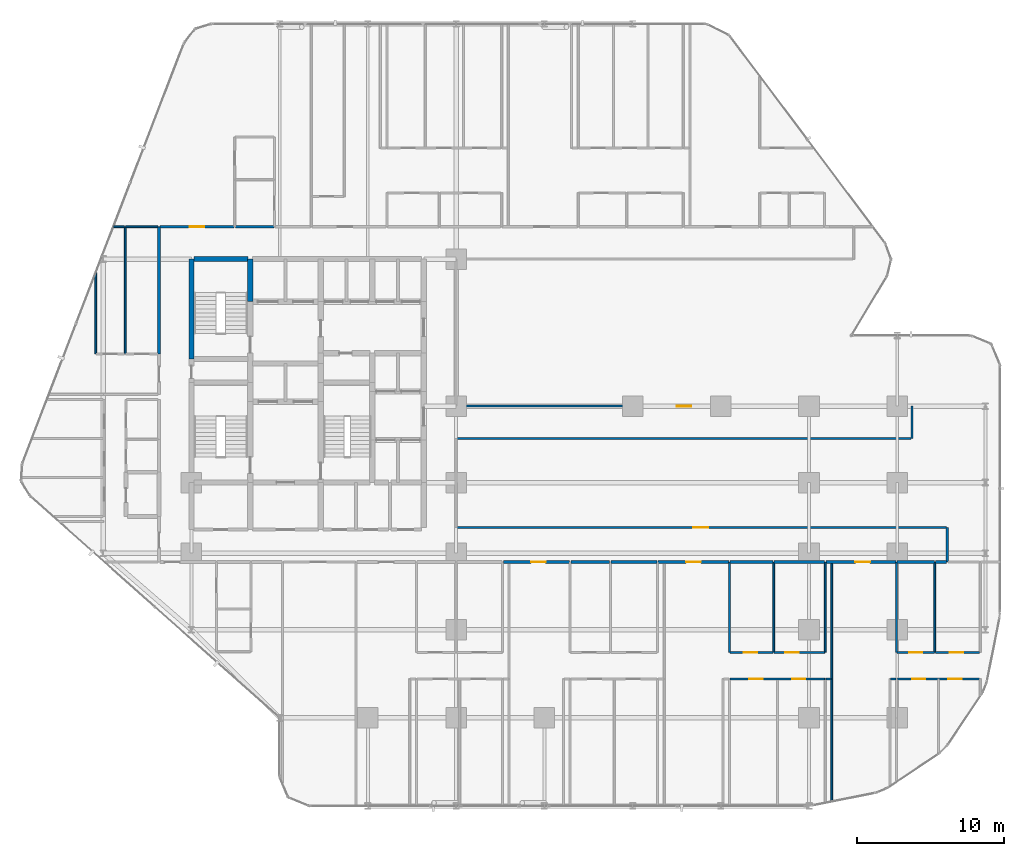
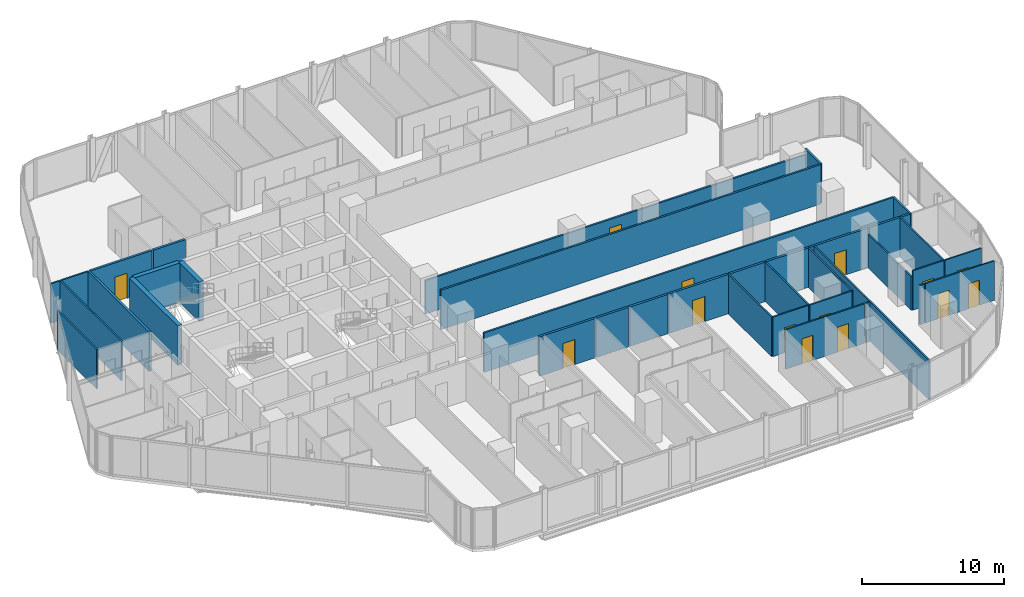
# One storey, part 29 of 34: 38 walls, 14 doors, 14 openings.
"""IFC4 building model written with IfcOpenShell, lengths in metres."""

from ifc_helpers import new_model, si_unit, direction, frame, frame_2d, origin, place, context, subcontext, project, spatial, rectangle, extrude, material, layer, layer_set, type_object, element, fill, save


model = new_model("IFC4")

# Units and contexts
model_context = context("Model", 3, precision=1e-05, world=origin(), true_north=direction((0.0, 1.0)))
body_context = subcontext(model_context, "Body", "Model", "MODEL_VIEW")
ifc_project = project(units=[si_unit("LENGTHUNIT", "METRE"), si_unit("AREAUNIT", "SQUARE_METRE"), si_unit("VOLUMEUNIT", "CUBIC_METRE"), si_unit("PLANEANGLEUNIT", "RADIAN"), si_unit("MASSUNIT", "GRAM", prefix="KILO")], contexts=[model_context])

# Site, building, storey
site_placement = place(None, origin())
site = spatial("IfcSite", under=ifc_project, at=site_placement, CompositionType="ELEMENT")
building_placement = place(site_placement, origin())
building = spatial("IfcBuilding", under=site, at=building_placement, Name="Keshet Zoharim Tower", CompositionType="ELEMENT")
storey_placement = place(building_placement, frame((0.0, 0.0, 38.800048828125)))
storey = spatial("IfcBuildingStorey", under=building, at=storey_placement, Name="L08", CompositionType="ELEMENT", Elevation=38.800048828125)

# Walls
ifc_material_1 = material(Name="Gypsum Plasterboard", Category="gypsum")
ifc_layer_1 = layer(ifc_material_1, 0.14990234375)
ifc_layer_set_1 = layer_set([ifc_layer_1], Name="Gypsum Plasterboard")
wall_type_1 = type_object("IfcWallType", Name="WL-CLIN-150", PredefinedType="STANDARD", material=ifc_layer_set_1)
wall_1_placement = place(storey_placement, frame((64.0, 25.699951171875, 0.0), z_axis=(0.0, 0.0, 1.0), x_axis=(0.0, 1.0, 0.0)))
element("IfcWall", 1, at=wall_1_placement, inside=storey, type_object=wall_type_1, Name="L08 Interior Wall 113", PredefinedType="STANDARD", context=body_context, shape_type="SweptSolid", body=[
    extrude(rectangle(XDim=2.199951171875, YDim=0.14990234375, at=frame_2d((1.10009765625, 0.0))), origin(), (0.0, 0.0, 1.0), 3.385009765625),
])
wall_2_placement = place(storey_placement, frame((66.39990234375, 17.31005859375, 0.0), z_axis=(0.0, 0.0, 1.0), x_axis=(0.0, 1.0, 0.0)))
element("IfcWall", 2, at=wall_2_placement, inside=storey, type_object=wall_type_1, Name="L08 Interior Wall 116", PredefinedType="STANDARD", context=body_context, shape_type="SweptSolid", body=[
    extrude(rectangle(XDim=2.33984375, YDim=0.14990234375, at=frame_2d((1.169921875, 0.0))), origin(), (0.0, 0.0, 1.0), 3.385009765625),
])

# Wall, opening, door
wall_3_placement = place(storey_placement, frame((33.070068359375, 19.64990234375, 0.0), z_axis=(0.0, 0.0, 1.0), x_axis=(1.0, 0.0, 0.0)))
wall_3 = element("IfcWall", 3, at=wall_3_placement, inside=storey, type_object=wall_type_1, Name="L08 Interior Wall 163", PredefinedType="STANDARD", context=body_context, shape_type="SweptSolid", body=[
    extrude(rectangle(XDim=33.27001953125, YDim=0.14990234375, at=frame_2d((16.635009765625, 0.0))), origin(), (0.0, 0.0, 1.0), 3.385009765625),
])
opening_1_placement = place(wall_3_placement, frame((16.06494140625, 0.0, 0.0)))
opening_1 = element("IfcOpeningElement", 4, at=opening_1_placement, cuts=wall_3, Name="Opening D-F310", PredefinedType="OPENING", context=body_context, shape_type="SweptSolid", body=[
    extrude(rectangle(XDim=1.0, YDim=2.14990234375, at=frame_2d((0.5, 1.074951171875))), frame((0.0, 0.0849609375, 0.0), z_axis=(0.0, -1.0, 0.0), x_axis=(1.0, 0.0, 0.0)), (0.0, 0.0, 1.0), 0.169921875),
])
ifc_material_2 = material(Name="Hardwood Timber", Category="wood")
door_type_1 = type_object("IfcDoorType", Name="DR-FD30-100", OperationType="NOTDEFINED", PredefinedType="DOOR", material=ifc_material_2)
door_1_placement = place(opening_1_placement, origin())
door_1 = element("IfcDoor", 5, at=door_1_placement, inside=storey, type_object=door_type_1, Name="L08 North East Residents Services Suite Door 1", OperationType="SINGLE_SWING_RIGHT", OverallHeight=2.14990234375, OverallWidth=1.0, PredefinedType="DOOR", context=body_context, shape_type="SweptSolid", body=[
    extrude(rectangle(XDim=1.0, YDim=2.14990234375, at=frame_2d((0.5, 1.074951171875))), frame((0.0, 0.02490234375, 0.0), z_axis=(0.0, -1.0, 0.0), x_axis=(1.0, 0.0, 0.0)), (0.0, 0.0, 1.0), 0.050048828125),
])
fill(opening_1, door_1)

# Wall
wall_4_placement = place(storey_placement, frame((33.070068359375, 25.699951171875, 0.0), z_axis=(0.0, 0.0, 1.0), x_axis=(1.0, 0.0, 0.0)))
element("IfcWall", 6, at=wall_4_placement, inside=storey, type_object=wall_type_1, Name="L08 Interior Wall 177", PredefinedType="STANDARD", context=body_context, shape_type="SweptSolid", body=[
    extrude(rectangle(XDim=30.869873046875, YDim=0.14990234375, at=frame_2d((15.43505859375, 0.0))), origin(), (0.0, 0.0, 1.0), 3.385009765625),
])

# Wall, opening, door
wall_5_placement = place(storey_placement, frame((33.070068359375, 27.89990234375, 0.0), z_axis=(0.0, 0.0, 1.0), x_axis=(1.0, 0.0, 0.0)))
wall_5 = element("IfcWall", 7, at=wall_5_placement, inside=storey, type_object=wall_type_1, Name="L08 Interior Wall 178", PredefinedType="STANDARD", context=body_context, shape_type="SweptSolid", body=[
    extrude(rectangle(XDim=30.869873046875, YDim=0.14990234375, at=frame_2d((15.43505859375, 0.0))), origin(), (0.0, 0.0, 1.0), 2.885009765625),
])
opening_2_placement = place(wall_5_placement, frame((14.93505859375, 0.0, 0.0)))
opening_2 = element("IfcOpeningElement", 8, at=opening_2_placement, cuts=wall_5, Name="Opening D-F310", PredefinedType="OPENING", context=body_context, shape_type="SweptSolid", body=[
    extrude(rectangle(XDim=1.0, YDim=2.14990234375, at=frame_2d((0.5, 1.074951171875))), frame((0.0, 0.0849609375, 0.0), z_axis=(0.0, -1.0, 0.0), x_axis=(1.0, 0.0, 0.0)), (0.0, 0.0, 1.0), 0.169921875),
])
door_2_placement = place(opening_2_placement, origin())
door_2 = element("IfcDoor", 9, at=door_2_placement, inside=storey, type_object=door_type_1, Name="L08 North East Residents Services Suite Door 2", OperationType="SINGLE_SWING_RIGHT", OverallHeight=2.14990234375, OverallWidth=1.0, PredefinedType="DOOR", context=body_context, shape_type="SweptSolid", body=[
    extrude(rectangle(XDim=1.0, YDim=2.14990234375, at=frame_2d((0.5, 1.074951171875))), frame((0.0, 0.02490234375, 0.0), z_axis=(0.0, -1.0, 0.0), x_axis=(1.0, 0.0, 0.0)), (0.0, 0.0, 1.0), 0.050048828125),
])
fill(opening_2, door_2)

# Walls
ifc_material_3 = material(Name="Concrete C60/75", Category="concrete")
ifc_layer_2 = layer(ifc_material_3, 0.35009765625)
ifc_layer_set_2 = layer_set([ifc_layer_2], Name="Concrete C60/75")
wall_type_2 = type_object("IfcWallType", Name="WL-CORE-350", PredefinedType="SHEAR", material=ifc_layer_set_2)
wall_6_placement = place(storey_placement, frame((15.0, 31.10009765625, 0.0), z_axis=(0.0, 0.0, 1.0), x_axis=(0.0, 1.0, 0.0)))
element("IfcWall", 10, at=wall_6_placement, inside=storey, type_object=wall_type_2, Name="L08 Core Shear Wall 016", PredefinedType="SHEAR", context=body_context, shape_type="SweptSolid", body=[
    extrude(rectangle(XDim=6.7998046875, YDim=0.35009765625, at=frame_2d((3.39990234375, 0.0))), origin(), (0.0, 0.0, 1.0), 3.385009765625),
])
wall_7_placement = place(storey_placement, frame((19.0, 35.0, 0.0), z_axis=(0.0, 0.0, 1.0), x_axis=(0.0, 1.0, 0.0)))
element("IfcWall", 11, at=wall_7_placement, inside=storey, type_object=wall_type_2, Name="L08 Core Shear Wall 025", PredefinedType="SHEAR", context=body_context, shape_type="SweptSolid", body=[
    extrude(rectangle(XDim=2.89990234375, YDim=0.35009765625, at=frame_2d((1.449951171875, 0.0))), origin(), (0.0, 0.0, 1.0), 3.385009765625),
])
wall_8_placement = place(storey_placement, frame((15.159912109375, 37.89990234375, 0.0), z_axis=(0.0, 0.0, 1.0), x_axis=(1.0, 0.0, 0.0)))
element("IfcWall", 12, at=wall_8_placement, inside=storey, type_object=wall_type_2, Name="L08 Core Shear Wall 194", PredefinedType="SHEAR", context=body_context, shape_type="SweptSolid", body=[
    extrude(rectangle(XDim=3.68017578125, YDim=0.35009765625, at=frame_2d((1.840087890625, 0.0))), origin(), (0.0, 0.0, 1.0), 3.385009765625),
])
ifc_layer_3 = layer(ifc_material_1, 0.179931640625)
ifc_layer_set_3 = layer_set([ifc_layer_3], Name="Gypsum Plasterboard")
wall_type_3 = type_object("IfcWallType", Name="WL-CORR-180", PredefinedType="STANDARD", material=ifc_layer_set_3)
wall_9_placement = place(storey_placement, frame((12.800048828125, 31.449951171875, 0.0), z_axis=(0.0, 0.0, 1.0), x_axis=(0.0, 1.0, 0.0)))
element("IfcWall", 13, at=wall_9_placement, inside=storey, type_object=wall_type_3, Name="L08 Interior Wall 012", PredefinedType="STANDARD", context=body_context, shape_type="SweptSolid", body=[
    extrude(rectangle(XDim=8.650146484375, YDim=0.179931640625, at=frame_2d((4.3251953125, 0.0))), origin(), (0.0, 0.0, 1.0), 3.385009765625),
])

# Wall, opening, door
wall_10_placement = place(storey_placement, frame((36.215087890625, 17.300048828125, 0.0), z_axis=(0.0, 0.0, 1.0), x_axis=(1.0, 0.0, 0.0)))
wall_10 = element("IfcWall", 14, at=wall_10_placement, inside=storey, type_object=wall_type_3, Name="L08 Interior Wall 148", PredefinedType="STANDARD", context=body_context, shape_type="SweptSolid", body=[
    extrude(rectangle(XDim=4.5, YDim=0.179931640625, at=frame_2d((2.25, 0.0))), origin(), (0.0, 0.0, 1.0), 3.385009765625),
])
opening_3_placement = place(wall_10_placement, frame((1.87890625, 0.0, 0.0)))
opening_3 = element("IfcOpeningElement", 15, at=opening_3_placement, cuts=wall_10, Name="Opening D-F310", PredefinedType="OPENING", context=body_context, shape_type="SweptSolid", body=[
    extrude(rectangle(XDim=1.0, YDim=2.14990234375, at=frame_2d((0.5, 1.074951171875))), frame((0.0, 0.10009765625, 0.0), z_axis=(0.0, -1.0, 0.0), x_axis=(1.0, 0.0, 0.0)), (0.0, 0.0, 1.0), 0.199951171875),
])
door_3_placement = place(opening_3_placement, origin())
door_3 = element("IfcDoor", 16, at=door_3_placement, inside=storey, type_object=door_type_1, Name="Apartment 0803 Entrance Door", OperationType="SINGLE_SWING_RIGHT", OverallHeight=2.14990234375, OverallWidth=1.0, PredefinedType="DOOR", context=body_context, shape_type="SweptSolid", body=[
    extrude(rectangle(XDim=1.0, YDim=2.14990234375, at=frame_2d((0.5, 1.074951171875))), frame((0.0, 0.02490234375, 0.0), z_axis=(0.0, -1.0, 0.0), x_axis=(1.0, 0.0, 0.0)), (0.0, 0.0, 1.0), 0.050048828125),
])
fill(opening_3, door_3)

# Walls
wall_11_placement = place(storey_placement, frame((40.804931640625, 17.300048828125, 0.0), z_axis=(0.0, 0.0, 1.0), x_axis=(1.0, 0.0, 0.0)))
element("IfcWall", 17, at=wall_11_placement, inside=storey, type_object=wall_type_3, Name="L08 Interior Wall 149", PredefinedType="STANDARD", context=body_context, shape_type="SweptSolid", body=[
    extrude(rectangle(XDim=2.64208984375, YDim=0.179931640625, at=frame_2d((1.321044921875, 0.0))), origin(), (0.0, 0.0, 1.0), 3.385009765625),
])
wall_12_placement = place(storey_placement, frame((43.537109375, 17.300048828125, 0.0), z_axis=(0.0, 0.0, 1.0), x_axis=(1.0, 0.0, 0.0)))
element("IfcWall", 18, at=wall_12_placement, inside=storey, type_object=wall_type_3, Name="L08 Interior Wall 150", PredefinedType="STANDARD", context=body_context, shape_type="SweptSolid", body=[
    extrude(rectangle(XDim=3.117919921875, YDim=0.179931640625, at=frame_2d((1.55908203125, 0.0))), origin(), (0.0, 0.0, 1.0), 3.385009765625),
])

# Wall, opening, door
wall_13_placement = place(storey_placement, frame((46.7451171875, 17.300048828125, 0.0), z_axis=(0.0, 0.0, 1.0), x_axis=(1.0, 0.0, 0.0)))
wall_13 = element("IfcWall", 19, at=wall_13_placement, inside=storey, type_object=wall_type_3, Name="L08 Interior Wall 151", PredefinedType="STANDARD", context=body_context, shape_type="SweptSolid", body=[
    extrude(rectangle(XDim=4.7998046875, YDim=0.179931640625, at=frame_2d((2.39990234375, 0.0))), origin(), (0.0, 0.0, 1.0), 3.385009765625),
])
opening_4_placement = place(wall_13_placement, frame((1.89990234375, 0.0, 0.0)))
opening_4 = element("IfcOpeningElement", 20, at=opening_4_placement, cuts=wall_13, Name="Opening D-F310", PredefinedType="OPENING", context=body_context, shape_type="SweptSolid", body=[
    extrude(rectangle(XDim=1.0, YDim=2.14990234375, at=frame_2d((0.5, 1.074951171875))), frame((0.0, 0.10009765625, 0.0), z_axis=(0.0, -1.0, 0.0), x_axis=(1.0, 0.0, 0.0)), (0.0, 0.0, 1.0), 0.199951171875),
])
door_4_placement = place(opening_4_placement, origin())
door_4 = element("IfcDoor", 21, at=door_4_placement, inside=storey, type_object=door_type_1, Name="Apartment 0804 Entrance Door", OperationType="SINGLE_SWING_LEFT", OverallHeight=2.14990234375, OverallWidth=1.0, PredefinedType="DOOR", context=body_context, shape_type="SweptSolid", body=[
    extrude(rectangle(XDim=1.0, YDim=2.14990234375, at=frame_2d((0.5, 1.074951171875))), frame((0.0, 0.02490234375, 0.0), z_axis=(0.0, -1.0, 0.0), x_axis=(1.0, 0.0, 0.0)), (0.0, 0.0, 1.0), 0.050048828125),
])
fill(opening_4, door_4)

# Walls
wall_14_placement = place(storey_placement, frame((51.635009765625, 17.300048828125, 0.0), z_axis=(0.0, 0.0, 1.0), x_axis=(1.0, 0.0, 0.0)))
element("IfcWall", 22, at=wall_14_placement, inside=storey, type_object=wall_type_3, Name="L08 Interior Wall 152", PredefinedType="STANDARD", context=body_context, shape_type="SweptSolid", body=[
    extrude(rectangle(XDim=2.905029296875, YDim=0.179931640625, at=frame_2d((1.45263671875, 0.0))), origin(), (0.0, 0.0, 1.0), 3.385009765625),
])
wall_15_placement = place(storey_placement, frame((54.6298828125, 17.300048828125, 0.0), z_axis=(0.0, 0.0, 1.0), x_axis=(1.0, 0.0, 0.0)))
element("IfcWall", 23, at=wall_15_placement, inside=storey, type_object=wall_type_3, Name="L08 Interior Wall 153", PredefinedType="STANDARD", context=body_context, shape_type="SweptSolid", body=[
    extrude(rectangle(XDim=3.425048828125, YDim=0.179931640625, at=frame_2d((1.71240234375, 0.0))), origin(), (0.0, 0.0, 1.0), 3.385009765625),
])

# Wall, opening, door
wall_16_placement = place(storey_placement, frame((58.14501953125, 17.300048828125, 0.0), z_axis=(0.0, 0.0, 1.0), x_axis=(1.0, 0.0, 0.0)))
wall_16 = element("IfcWall", 24, at=wall_16_placement, inside=storey, type_object=wall_type_3, Name="L08 Interior Wall 154", PredefinedType="STANDARD", context=body_context, shape_type="SweptSolid", body=[
    extrude(rectangle(XDim=4.760009765625, YDim=0.179931640625, at=frame_2d((2.3798828125, 0.0))), origin(), (0.0, 0.0, 1.0), 3.385009765625),
])
opening_5_placement = place(wall_16_placement, frame((2.010009765625, 0.0, 0.0)))
opening_5 = element("IfcOpeningElement", 25, at=opening_5_placement, cuts=wall_16, Name="Opening D-F310", PredefinedType="OPENING", context=body_context, shape_type="SweptSolid", body=[
    extrude(rectangle(XDim=1.0, YDim=2.14990234375, at=frame_2d((0.5, 1.074951171875))), frame((0.0, 0.10009765625, 0.0), z_axis=(0.0, -1.0, 0.0), x_axis=(1.0, 0.0, 0.0)), (0.0, 0.0, 1.0), 0.199951171875),
])
door_5_placement = place(opening_5_placement, origin())
door_5 = element("IfcDoor", 26, at=door_5_placement, inside=storey, type_object=door_type_1, Name="Apartment 0805 Entrance Door", OperationType="SINGLE_SWING_RIGHT", OverallHeight=2.14990234375, OverallWidth=1.0, PredefinedType="DOOR", context=body_context, shape_type="SweptSolid", body=[
    extrude(rectangle(XDim=1.0, YDim=2.14990234375, at=frame_2d((0.5, 1.074951171875))), frame((0.0, 0.02490234375, 0.0), z_axis=(0.0, -1.0, 0.0), x_axis=(1.0, 0.0, 0.0)), (0.0, 0.0, 1.0), 0.050048828125),
])
fill(opening_5, door_5)

# Walls
wall_17_placement = place(storey_placement, frame((62.9951171875, 17.300048828125, 0.0), z_axis=(0.0, 0.0, 1.0), x_axis=(1.0, 0.0, 0.0)))
element("IfcWall", 27, at=wall_17_placement, inside=storey, type_object=wall_type_3, Name="L08 Interior Wall 155", PredefinedType="STANDARD", context=body_context, shape_type="SweptSolid", body=[
    extrude(rectangle(XDim=2.52294921875, YDim=0.179931640625, at=frame_2d((1.261474609375, 0.0))), origin(), (0.0, 0.0, 1.0), 3.385009765625),
])
wall_18_placement = place(storey_placement, frame((65.60791015625, 17.300048828125, 0.0), z_axis=(0.0, 0.0, 1.0), x_axis=(1.0, 0.0, 0.0)))
element("IfcWall", 28, at=wall_18_placement, inside=storey, type_object=wall_type_3, Name="L08 Interior Wall 156", PredefinedType="STANDARD", context=body_context, shape_type="SweptSolid", body=[
    extrude(rectangle(XDim=0.732177734375, YDim=0.179931640625, at=frame_2d((0.3662109375, 0.0))), origin(), (0.0, 0.0, 1.0), 3.385009765625),
])

# Wall, opening, door
wall_19_placement = place(storey_placement, frame((12.875, 40.10009765625, 0.0), z_axis=(0.0, 0.0, 1.0), x_axis=(1.0, 0.0, 0.0)))
wall_19 = element("IfcWall", 29, at=wall_19_placement, inside=storey, type_object=wall_type_3, Name="L08 Interior Wall 199", PredefinedType="STANDARD", context=body_context, shape_type="SweptSolid", body=[
    extrude(rectangle(XDim=5.030029296875, YDim=0.179931640625, at=frame_2d((2.51513671875, 0.0))), origin(), (0.0, 0.0, 1.0), 3.385009765625),
])
opening_6_placement = place(wall_19_placement, frame((2.0, 0.0, 0.0)))
opening_6 = element("IfcOpeningElement", 30, at=opening_6_placement, cuts=wall_19, Name="Opening D-F310", PredefinedType="OPENING", context=body_context, shape_type="SweptSolid", body=[
    extrude(rectangle(XDim=1.0, YDim=2.14990234375, at=frame_2d((0.5, 1.074951171875))), frame((0.0, 0.10009765625, 0.0), z_axis=(0.0, -1.0, 0.0), x_axis=(1.0, 0.0, 0.0)), (0.0, 0.0, 1.0), 0.199951171875),
])
door_6_placement = place(opening_6_placement, origin())
door_6 = element("IfcDoor", 31, at=door_6_placement, inside=storey, type_object=door_type_1, Name="Apartment 0806 Entrance Door", OperationType="SINGLE_SWING_RIGHT", OverallHeight=2.14990234375, OverallWidth=1.0, PredefinedType="DOOR", context=body_context, shape_type="SweptSolid", body=[
    extrude(rectangle(XDim=1.0, YDim=2.14990234375, at=frame_2d((0.5, 1.074951171875))), frame((0.0, 0.02490234375, 0.0), z_axis=(0.0, -1.0, 0.0), x_axis=(1.0, 0.0, 0.0)), (0.0, 0.0, 1.0), 0.050048828125),
])
fill(opening_6, door_6)

# Walls
wall_20_placement = place(storey_placement, frame((17.9951171875, 40.10009765625, 0.0), z_axis=(0.0, 0.0, 1.0), x_axis=(1.0, 0.0, 0.0)))
element("IfcWall", 32, at=wall_20_placement, inside=storey, type_object=wall_type_3, Name="L08 Interior Wall 200", PredefinedType="STANDARD", context=body_context, shape_type="SweptSolid", body=[
    extrude(rectangle(XDim=2.60986328125, YDim=0.179931640625, at=frame_2d((1.304931640625, 0.0))), origin(), (0.0, 0.0, 1.0), 3.385009765625),
])
ifc_layer_4 = layer(ifc_material_1, 0.1201171875)
ifc_layer_set_4 = layer_set([ifc_layer_4], Name="Gypsum Plasterboard")
wall_type_4 = type_object("IfcWallType", Name="WL-PART-120", PredefinedType="PARTITIONING", material=ifc_layer_set_4)
wall_21_placement = place(storey_placement, frame((8.5, 31.449951171875, 0.0), z_axis=(0.0, 0.0, 1.0), x_axis=(0.0, 1.0, 0.0)))
element("IfcWall", 33, at=wall_21_placement, inside=storey, type_object=wall_type_4, Name="L08 Interior Wall 001", PredefinedType="PARTITIONING", context=body_context, shape_type="SweptSolid", body=[
    extrude(rectangle(XDim=5.5400390625, YDim=0.1201171875, at=frame_2d((2.77001953125, 0.0))), origin(), (0.0, 0.0, 1.0), 3.385009765625),
])
wall_22_placement = place(storey_placement, frame((51.60009765625, 11.14990234375, 0.0), z_axis=(0.0, 0.0, 1.0), x_axis=(0.0, 1.0, 0.0)))
element("IfcWall", 34, at=wall_22_placement, inside=storey, type_object=wall_type_4, Name="L08 Interior Wall 099", PredefinedType="PARTITIONING", context=body_context, shape_type="SweptSolid", body=[
    extrude(rectangle(XDim=6.150146484375, YDim=0.1201171875, at=frame_2d((3.0751953125, 0.0))), origin(), (0.0, 0.0, 1.0), 3.385009765625),
])
wall_23_placement = place(storey_placement, frame((58.550048828125, 1.01806640625, 0.0), z_axis=(0.0, 0.0, 1.0), x_axis=(0.0, 1.0, 0.0)))
element("IfcWall", 35, at=wall_23_placement, inside=storey, type_object=wall_type_4, Name="L08 Interior Wall 108", PredefinedType="PARTITIONING", context=body_context, shape_type="SweptSolid", body=[
    extrude(rectangle(XDim=16.281982421875, YDim=0.1201171875, at=frame_2d((8.14111328125, 0.0))), origin(), (0.0, 0.0, 1.0), 3.385009765625),
])
wall_24_placement = place(storey_placement, frame((62.949951171875, 11.14990234375, 0.0), z_axis=(0.0, 0.0, 1.0), x_axis=(0.0, 1.0, 0.0)))
element("IfcWall", 36, at=wall_24_placement, inside=storey, type_object=wall_type_4, Name="L08 Interior Wall 112", PredefinedType="PARTITIONING", context=body_context, shape_type="SweptSolid", body=[
    extrude(rectangle(XDim=6.150146484375, YDim=0.1201171875, at=frame_2d((3.0751953125, 0.0))), origin(), (0.0, 0.0, 1.0), 2.885009765625),
])

# Wall, openings, doors
wall_25_placement = place(storey_placement, frame((51.635009765625, 9.35009765625, 0.0), z_axis=(0.0, 0.0, 1.0), x_axis=(1.0, 0.0, 0.0)))
wall_25 = element("IfcWall", 37, at=wall_25_placement, inside=storey, type_object=wall_type_4, Name="L08 Interior Wall 126", PredefinedType="PARTITIONING", context=body_context, shape_type="SweptSolid", body=[
    extrude(rectangle(XDim=6.419921875, YDim=0.1201171875, at=frame_2d((3.2099609375, 0.0))), origin(), (0.0, 0.0, 1.0), 3.385009765625),
])
opening_7_placement = place(wall_25_placement, frame((1.306884765625, 0.0, 0.0)))
opening_7 = element("IfcOpeningElement", 38, at=opening_7_placement, cuts=wall_25, Name="Opening D-IN90", PredefinedType="OPENING", context=body_context, shape_type="SweptSolid", body=[
    extrude(rectangle(XDim=0.89990234375, YDim=2.14990234375, at=frame_2d((0.449951171875, 1.074951171875))), frame((0.0, 0.070068359375, 0.0), z_axis=(0.0, -1.0, 0.0), x_axis=(1.0, 0.0, 0.0)), (0.0, 0.0, 1.0), 0.14013671875),
])
opening_8_placement = place(wall_25_placement, frame((4.2119140625, 0.0, 0.0)))
opening_8 = element("IfcOpeningElement", 39, at=opening_8_placement, cuts=wall_25, Name="Opening D-IN90", PredefinedType="OPENING", context=body_context, shape_type="SweptSolid", body=[
    extrude(rectangle(XDim=0.89990234375, YDim=2.14990234375, at=frame_2d((0.449951171875, 1.074951171875))), frame((0.0, 0.070068359375, 0.0), z_axis=(0.0, -1.0, 0.0), x_axis=(1.0, 0.0, 0.0)), (0.0, 0.0, 1.0), 0.14013671875),
])
door_type_2 = type_object("IfcDoorType", Name="DR-INT-090", OperationType="NOTDEFINED", PredefinedType="DOOR", material=ifc_material_2)
door_7_placement = place(opening_7_placement, origin())
door_7 = element("IfcDoor", 40, at=door_7_placement, inside=storey, type_object=door_type_2, Name="Apartment 0804 Bedroom 1 Door", OperationType="SINGLE_SWING_LEFT", OverallHeight=2.14990234375, OverallWidth=0.89990234375, PredefinedType="DOOR", context=body_context, shape_type="SweptSolid", body=[
    extrude(rectangle(XDim=0.89990234375, YDim=2.14990234375, at=frame_2d((0.449951171875, 1.074951171875))), frame((0.0, 0.02490234375, 0.0), z_axis=(0.0, -1.0, 0.0), x_axis=(1.0, 0.0, 0.0)), (0.0, 0.0, 1.0), 0.050048828125),
])
fill(opening_7, door_7)
door_8_placement = place(opening_8_placement, origin())
door_8 = element("IfcDoor", 41, at=door_8_placement, inside=storey, type_object=door_type_2, Name="Apartment 0804 Bedroom 2 Door", OperationType="SINGLE_SWING_RIGHT", OverallHeight=2.14990234375, OverallWidth=0.89990234375, PredefinedType="DOOR", context=body_context, shape_type="SweptSolid", body=[
    extrude(rectangle(XDim=0.89990234375, YDim=2.14990234375, at=frame_2d((0.449951171875, 1.074951171875))), frame((0.0, 0.02490234375, 0.0), z_axis=(0.0, -1.0, 0.0), x_axis=(1.0, 0.0, 0.0)), (0.0, 0.0, 1.0), 0.050048828125),
])
fill(opening_8, door_8)

# Walls
wall_26_placement = place(storey_placement, frame((58.14501953125, 9.35009765625, 0.0), z_axis=(0.0, 0.0, 1.0), x_axis=(1.0, 0.0, 0.0)))
element("IfcWall", 42, at=wall_26_placement, inside=storey, type_object=wall_type_4, Name="L08 Interior Wall 127", PredefinedType="PARTITIONING", context=body_context, shape_type="SweptSolid", body=[
    extrude(rectangle(XDim=0.35986328125, YDim=0.1201171875, at=frame_2d((0.179931640625, 0.0))), origin(), (0.0, 0.0, 1.0), 3.385009765625),
])
wall_27_placement = place(storey_placement, frame((62.544921875, 9.35009765625, 0.0), z_axis=(0.0, 0.0, 1.0), x_axis=(1.0, 0.0, 0.0)))
element("IfcWall", 43, at=wall_27_placement, inside=storey, type_object=wall_type_4, Name="L08 Interior Wall 128", PredefinedType="PARTITIONING", context=body_context, shape_type="SweptSolid", body=[
    extrude(rectangle(XDim=0.360107421875, YDim=0.1201171875, at=frame_2d((0.18017578125, 0.0))), origin(), (0.0, 0.0, 1.0), 3.385009765625),
])

# Wall, openings, doors
wall_28_placement = place(storey_placement, frame((62.9951171875, 9.35009765625, 0.0), z_axis=(0.0, 0.0, 1.0), x_axis=(1.0, 0.0, 0.0)))
wall_28 = element("IfcWall", 44, at=wall_28_placement, inside=storey, type_object=wall_type_4, Name="L08 Interior Wall 129", PredefinedType="PARTITIONING", context=body_context, shape_type="SweptSolid", body=[
    extrude(rectangle(XDim=5.5908203125, YDim=0.1201171875, at=frame_2d((2.79541015625, 0.0))), origin(), (0.0, 0.0, 1.0), 3.385009765625),
])
opening_9_placement = place(wall_28_placement, frame((1.02490234375, 0.0, 0.0)))
opening_9 = element("IfcOpeningElement", 45, at=opening_9_placement, cuts=wall_28, Name="Opening D-IN90", PredefinedType="OPENING", context=body_context, shape_type="SweptSolid", body=[
    extrude(rectangle(XDim=0.89990234375, YDim=2.14990234375, at=frame_2d((0.449951171875, 1.074951171875))), frame((0.0, 0.070068359375, 0.0), z_axis=(0.0, -1.0, 0.0), x_axis=(1.0, 0.0, 0.0)), (0.0, 0.0, 1.0), 0.14013671875),
])
opening_10_placement = place(wall_28_placement, frame((3.47607421875, 0.0, 0.0)))
opening_10 = element("IfcOpeningElement", 46, at=opening_10_placement, cuts=wall_28, Name="Opening D-IN90", PredefinedType="OPENING", context=body_context, shape_type="SweptSolid", body=[
    extrude(rectangle(XDim=0.89990234375, YDim=2.14990234375, at=frame_2d((0.449951171875, 1.074951171875))), frame((0.0, 0.070068359375, 0.0), z_axis=(0.0, -1.0, 0.0), x_axis=(1.0, 0.0, 0.0)), (0.0, 0.0, 1.0), 0.14013671875),
])
door_9_placement = place(opening_9_placement, origin())
door_9 = element("IfcDoor", 47, at=door_9_placement, inside=storey, type_object=door_type_2, Name="Apartment 0805 Bedroom 1 Door", OperationType="SINGLE_SWING_LEFT", OverallHeight=2.14990234375, OverallWidth=0.89990234375, PredefinedType="DOOR", context=body_context, shape_type="SweptSolid", body=[
    extrude(rectangle(XDim=0.89990234375, YDim=2.14990234375, at=frame_2d((0.449951171875, 1.074951171875))), frame((0.0, 0.02490234375, 0.0), z_axis=(0.0, -1.0, 0.0), x_axis=(1.0, 0.0, 0.0)), (0.0, 0.0, 1.0), 0.050048828125),
])
fill(opening_9, door_9)
door_10_placement = place(opening_10_placement, origin())
door_10 = element("IfcDoor", 48, at=door_10_placement, inside=storey, type_object=door_type_2, Name="Apartment 0805 Bedroom 2 Door", OperationType="SINGLE_SWING_RIGHT", OverallHeight=2.14990234375, OverallWidth=0.89990234375, PredefinedType="DOOR", context=body_context, shape_type="SweptSolid", body=[
    extrude(rectangle(XDim=0.89990234375, YDim=2.14990234375, at=frame_2d((0.449951171875, 1.074951171875))), frame((0.0, 0.02490234375, 0.0), z_axis=(0.0, -1.0, 0.0), x_axis=(1.0, 0.0, 0.0)), (0.0, 0.0, 1.0), 0.050048828125),
])
fill(opening_10, door_10)

# Wall, opening, door
wall_29_placement = place(storey_placement, frame((51.635009765625, 11.14990234375, 0.0), z_axis=(0.0, 0.0, 1.0), x_axis=(1.0, 0.0, 0.0)))
wall_29 = element("IfcWall", 49, at=wall_29_placement, inside=storey, type_object=wall_type_4, Name="L08 Interior Wall 134", PredefinedType="PARTITIONING", context=body_context, shape_type="SweptSolid", body=[
    extrude(rectangle(XDim=2.905029296875, YDim=0.1201171875, at=frame_2d((1.45263671875, 0.0))), origin(), (0.0, 0.0, 1.0), 3.385009765625),
])
opening_11_placement = place(wall_29_placement, frame((0.929931640625, 0.0, 0.0)))
opening_11 = element("IfcOpeningElement", 50, at=opening_11_placement, cuts=wall_29, Name="Opening D-IN90", PredefinedType="OPENING", context=body_context, shape_type="SweptSolid", body=[
    extrude(rectangle(XDim=0.89990234375, YDim=2.14990234375, at=frame_2d((0.449951171875, 1.074951171875))), frame((0.0, 0.070068359375, 0.0), z_axis=(0.0, -1.0, 0.0), x_axis=(1.0, 0.0, 0.0)), (0.0, 0.0, 1.0), 0.14013671875),
])
door_11_placement = place(opening_11_placement, origin())
door_11 = element("IfcDoor", 51, at=door_11_placement, inside=storey, type_object=door_type_2, Name="Apartment 0804 Kitchen Door", OperationType="SINGLE_SWING_LEFT", OverallHeight=2.14990234375, OverallWidth=0.89990234375, PredefinedType="DOOR", context=body_context, shape_type="SweptSolid", body=[
    extrude(rectangle(XDim=0.89990234375, YDim=2.14990234375, at=frame_2d((0.449951171875, 1.074951171875))), frame((0.0, 0.02490234375, 0.0), z_axis=(0.0, -1.0, 0.0), x_axis=(1.0, 0.0, 0.0)), (0.0, 0.0, 1.0), 0.050048828125),
])
fill(opening_11, door_11)

wall_30_placement = place(storey_placement, frame((62.9951171875, 11.14990234375, 0.0), z_axis=(0.0, 0.0, 1.0), x_axis=(1.0, 0.0, 0.0)))
wall_30 = element("IfcWall", 52, at=wall_30_placement, inside=storey, type_object=wall_type_4, Name="L08 Interior Wall 136", PredefinedType="PARTITIONING", context=body_context, shape_type="SweptSolid", body=[
    extrude(rectangle(XDim=2.52294921875, YDim=0.1201171875, at=frame_2d((1.261474609375, 0.0))), origin(), (0.0, 0.0, 1.0), 3.385009765625),
])
opening_12_placement = place(wall_30_placement, frame((0.81201171875, 0.0, 0.0)))
opening_12 = element("IfcOpeningElement", 53, at=opening_12_placement, cuts=wall_30, Name="Opening D-IN90", PredefinedType="OPENING", context=body_context, shape_type="SweptSolid", body=[
    extrude(rectangle(XDim=0.89990234375, YDim=2.14990234375, at=frame_2d((0.449951171875, 1.074951171875))), frame((0.0, 0.070068359375, 0.0), z_axis=(0.0, -1.0, 0.0), x_axis=(1.0, 0.0, 0.0)), (0.0, 0.0, 1.0), 0.14013671875),
])
door_12_placement = place(opening_12_placement, origin())
door_12 = element("IfcDoor", 54, at=door_12_placement, inside=storey, type_object=door_type_2, Name="Apartment 0805 Kitchen Door", OperationType="SINGLE_SWING_LEFT", OverallHeight=2.14990234375, OverallWidth=0.89990234375, PredefinedType="DOOR", context=body_context, shape_type="SweptSolid", body=[
    extrude(rectangle(XDim=0.89990234375, YDim=2.14990234375, at=frame_2d((0.449951171875, 1.074951171875))), frame((0.0, 0.02490234375, 0.0), z_axis=(0.0, -1.0, 0.0), x_axis=(1.0, 0.0, 0.0)), (0.0, 0.0, 1.0), 0.050048828125),
])
fill(opening_12, door_12)

# Walls
wall_31_placement = place(storey_placement, frame((9.701904296875, 40.10009765625, 0.0), z_axis=(0.0, 0.0, 1.0), x_axis=(1.0, 0.0, 0.0)))
element("IfcWall", 55, at=wall_31_placement, inside=storey, type_object=wall_type_4, Name="L08 Interior Wall 197", PredefinedType="PARTITIONING", context=body_context, shape_type="SweptSolid", body=[
    extrude(rectangle(XDim=0.731201171875, YDim=0.1201171875, at=frame_2d((0.36572265625, 0.0))), origin(), (0.0, 0.0, 1.0), 3.385009765625),
])
ifc_layer_5 = layer(ifc_material_1, 0.1201171875)
ifc_layer_set_5 = layer_set([ifc_layer_5], Name="Gypsum Plasterboard")
wall_type_5 = type_object("IfcWallType", Name="WL-WET-120", PredefinedType="PARTITIONING", material=ifc_layer_set_5)
wall_32_placement = place(storey_placement, frame((10.5, 31.449951171875, 0.0), z_axis=(0.0, 0.0, 1.0), x_axis=(0.0, 1.0, 0.0)))
element("IfcWall", 56, at=wall_32_placement, inside=storey, type_object=wall_type_5, Name="L08 Interior Wall 003", PredefinedType="PARTITIONING", context=body_context, shape_type="SweptSolid", body=[
    extrude(rectangle(XDim=8.650146484375, YDim=0.1201171875, at=frame_2d((4.3251953125, 0.0))), origin(), (0.0, 0.0, 1.0), 3.385009765625),
])
for number, where, z_axis, x_axis, name in (
    (57, (54.60009765625, 11.14990234375, 0.0), (0.0, 0.0, 1.0), (0.0, 1.0, 0.0), "L08 Interior Wall 102"),
    (58, (58.10009765625, 11.14990234375, 0.0), (0.0, 0.0, 1.0), (0.0, 1.0, 0.0), "L08 Interior Wall 107"),
    (59, (65.550048828125, 11.14990234375, 0.0), (0.0, 0.0, 1.0), (0.0, 1.0, 0.0), "L08 Interior Wall 114"),
):
    element("IfcWall", number, at=place(storey_placement, frame(where, z_axis=z_axis, x_axis=x_axis)), inside=storey, type_object=wall_type_5, Name=name, PredefinedType="PARTITIONING", context=body_context, shape_type="SweptSolid", body=[
        extrude(rectangle(XDim=6.150146484375, YDim=0.1201171875, at=frame_2d((3.0751953125, 0.0))), origin(), (0.0, 0.0, 1.0), 3.385009765625),
    ])

# Wall, opening, door
wall_33_placement = place(storey_placement, frame((54.6298828125, 11.14990234375, 0.0), z_axis=(0.0, 0.0, 1.0), x_axis=(1.0, 0.0, 0.0)))
wall_33 = element("IfcWall", 60, at=wall_33_placement, inside=storey, type_object=wall_type_5, Name="L08 Interior Wall 135", PredefinedType="PARTITIONING", context=body_context, shape_type="SweptSolid", body=[
    extrude(rectangle(XDim=3.425048828125, YDim=0.1201171875, at=frame_2d((1.71240234375, 0.0))), origin(), (0.0, 0.0, 1.0), 3.385009765625),
])
opening_13_placement = place(wall_33_placement, frame((0.76904296875, 0.0, 0.0)))
opening_13 = element("IfcOpeningElement", 61, at=opening_13_placement, cuts=wall_33, Name="Opening D-WT90", PredefinedType="OPENING", context=body_context, shape_type="SweptSolid", body=[
    extrude(rectangle(XDim=0.89990234375, YDim=2.10009765625, at=frame_2d((0.449951171875, 1.050048828125))), frame((0.0, 0.070068359375, 0.0), z_axis=(0.0, -1.0, 0.0), x_axis=(1.0, 0.0, 0.0)), (0.0, 0.0, 1.0), 0.14013671875),
])
door_type_3 = type_object("IfcDoorType", Name="DR-WET-090", OperationType="NOTDEFINED", PredefinedType="DOOR", material=ifc_material_2)
door_13_placement = place(opening_13_placement, origin())
door_13 = element("IfcDoor", 62, at=door_13_placement, inside=storey, type_object=door_type_3, Name="Apartment 0804 Bathroom Door", OperationType="SINGLE_SWING_RIGHT", OverallHeight=2.10009765625, OverallWidth=0.89990234375, PredefinedType="DOOR", context=body_context, shape_type="SweptSolid", body=[
    extrude(rectangle(XDim=0.89990234375, YDim=2.10009765625, at=frame_2d((0.449951171875, 1.050048828125))), frame((0.0, 0.02490234375, 0.0), z_axis=(0.0, -1.0, 0.0), x_axis=(1.0, 0.0, 0.0)), (0.0, 0.0, 1.0), 0.050048828125),
])
fill(opening_13, door_13)

wall_34_placement = place(storey_placement, frame((65.60791015625, 11.14990234375, 0.0), z_axis=(0.0, 0.0, 1.0), x_axis=(1.0, 0.0, 0.0)))
wall_34 = element("IfcWall", 63, at=wall_34_placement, inside=storey, type_object=wall_type_5, Name="L08 Interior Wall 137", PredefinedType="PARTITIONING", context=body_context, shape_type="SweptSolid", body=[
    extrude(rectangle(XDim=2.97802734375, YDim=0.1201171875, at=frame_2d((1.489013671875, 0.0))), origin(), (0.0, 0.0, 1.0), 3.385009765625),
])
opening_14_placement = place(wall_34_placement, frame((0.964111328125, 0.0, 0.0)))
opening_14 = element("IfcOpeningElement", 64, at=opening_14_placement, cuts=wall_34, Name="Opening D-WT90", PredefinedType="OPENING", context=body_context, shape_type="SweptSolid", body=[
    extrude(rectangle(XDim=0.89990234375, YDim=2.10009765625, at=frame_2d((0.449951171875, 1.050048828125))), frame((0.0, 0.070068359375, 0.0), z_axis=(0.0, -1.0, 0.0), x_axis=(1.0, 0.0, 0.0)), (0.0, 0.0, 1.0), 0.14013671875),
])
door_14_placement = place(opening_14_placement, origin())
door_14 = element("IfcDoor", 65, at=door_14_placement, inside=storey, type_object=door_type_3, Name="Apartment 0805 Bathroom Door", OperationType="SINGLE_SWING_RIGHT", OverallHeight=2.10009765625, OverallWidth=0.89990234375, PredefinedType="DOOR", context=body_context, shape_type="SweptSolid", body=[
    extrude(rectangle(XDim=0.89990234375, YDim=2.10009765625, at=frame_2d((0.449951171875, 1.050048828125))), frame((0.0, 0.02490234375, 0.0), z_axis=(0.0, -1.0, 0.0), x_axis=(1.0, 0.0, 0.0)), (0.0, 0.0, 1.0), 0.050048828125),
])
fill(opening_14, door_14)

# Wall
wall_35_placement = place(storey_placement, frame((10.52294921875, 40.10009765625, 0.0), z_axis=(0.0, 0.0, 1.0), x_axis=(1.0, 0.0, 0.0)))
element("IfcWall", 66, at=wall_35_placement, inside=storey, type_object=wall_type_5, Name="L08 Interior Wall 198", PredefinedType="PARTITIONING", context=body_context, shape_type="SweptSolid", body=[
    extrude(rectangle(XDim=2.2021484375, YDim=0.1201171875, at=frame_2d((1.10107421875, 0.0))), origin(), (0.0, 0.0, 1.0), 3.385009765625),
])

save(model, "model.ifc")
